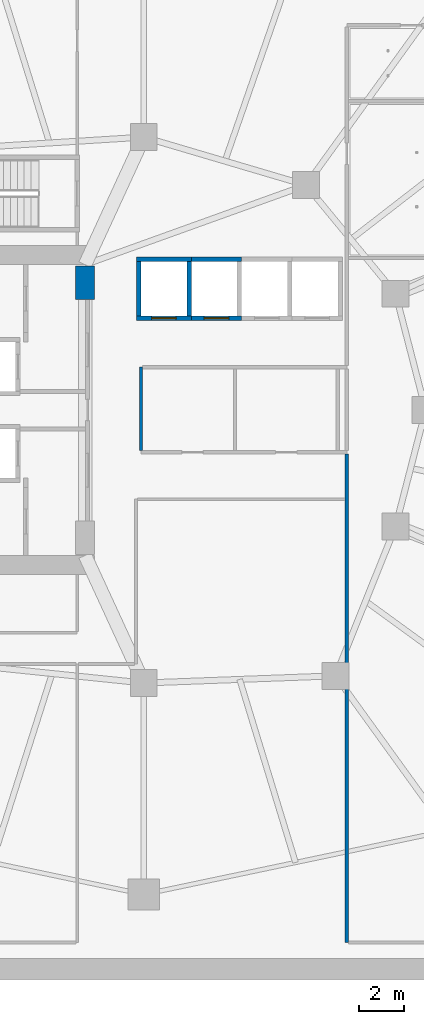
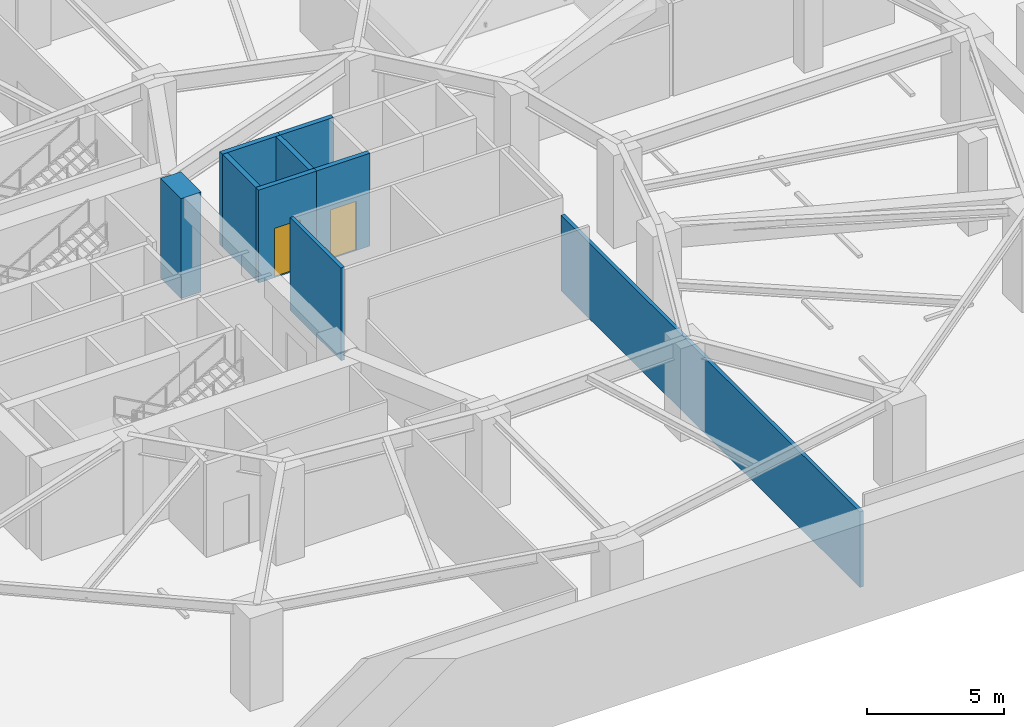
# One storey, part 5 of 16: 9 walls, 2 doors, 2 openings.
"""IFC4 building model written with IfcOpenShell, lengths in metres."""

from ifc_helpers import new_model, si_unit, direction, frame, frame_2d, origin, place, context, subcontext, project, spatial, rectangle, extrude, material, layer, layer_set, type_object, element, fill, save


model = new_model("IFC4")

# Units and contexts
model_context = context("Model", 3, precision=1e-05, world=origin(), true_north=direction((0.0, 1.0)))
body_context = subcontext(model_context, "Body", "Model", "MODEL_VIEW")
ifc_project = project(units=[si_unit("LENGTHUNIT", "METRE"), si_unit("AREAUNIT", "SQUARE_METRE"), si_unit("VOLUMEUNIT", "CUBIC_METRE"), si_unit("PLANEANGLEUNIT", "RADIAN"), si_unit("MASSUNIT", "GRAM", prefix="KILO")], contexts=[model_context])

# Site, building, storey
site_placement = place(None, origin())
site = spatial("IfcSite", under=ifc_project, at=site_placement, CompositionType="ELEMENT")
building_placement = place(site_placement, origin())
building = spatial("IfcBuilding", under=site, at=building_placement, Name="Kolvaren Gate Tower and Convention Centre", CompositionType="ELEMENT")
storey_placement = place(building_placement, frame((0.0, 0.0, -4.5)))
storey = spatial("IfcBuildingStorey", under=building, at=storey_placement, Name="B1", CompositionType="ELEMENT", Elevation=-4.5)

# Wall
ifc_material_1 = material(Name="Autoclaved Aerated Masonry Blockwork Class 4 (4.0 MPa)", Category="masonry")
ifc_layer_1 = layer(ifc_material_1, 0.199951171875)
ifc_layer_set_1 = layer_set([ifc_layer_1], Name="Autoclaved Aerated Masonry Blockwork Class 4 (4.0 MPa)")
wall_type_1 = type_object("IfcWallType", Name="ARCH-WL-SHAFT-200", PredefinedType="SOLIDWALL", material=ifc_layer_set_1)
wall_1_placement = place(storey_placement, frame((29.800048828125, 33.75, 0.0), z_axis=(0.0, 0.0, 1.0), x_axis=(1.0, 0.0, 0.0)))
element("IfcWall", 1, at=wall_1_placement, inside=storey, type_object=wall_type_1, Name="Elevator PL-01 B1 Fire Shaft Wall N", PredefinedType="SOLIDWALL", context=body_context, shape_type="SweptSolid", body=[
    extrude(rectangle(XDim=2.449951171875, YDim=0.199951171875, at=frame_2d((1.22509765625, 0.0))), origin(), (0.0, 0.0, 1.0), 4.139892578125),
])

# Wall, opening, door
wall_2_placement = place(storey_placement, frame((29.800048828125, 31.10009765625, 0.0), z_axis=(0.0, 0.0, 1.0), x_axis=(1.0, 0.0, 0.0)))
wall_2 = element("IfcWall", 2, at=wall_2_placement, inside=storey, type_object=wall_type_1, Name="Elevator PL-01 B1 Fire Shaft Wall S", PredefinedType="SOLIDWALL", context=body_context, shape_type="SweptSolid", body=[
    extrude(rectangle(XDim=2.449951171875, YDim=0.199951171875, at=frame_2d((1.22509765625, 0.0))), origin(), (0.0, 0.0, 1.0), 4.139892578125),
])
opening_1_placement = place(wall_2_placement, frame((0.675048828125, 0.0, 0.0)))
opening_1 = element("IfcOpeningElement", 3, at=opening_1_placement, cuts=wall_2, Name="Opening LD", PredefinedType="OPENING", context=body_context, shape_type="SweptSolid", body=[
    extrude(rectangle(XDim=1.10009765625, YDim=2.199951171875, at=frame_2d((0.550048828125, 1.10009765625))), frame((0.0, 0.10986328125, 0.0), z_axis=(0.0, -1.0, 0.0), x_axis=(1.0, 0.0, 0.0)), (0.0, 0.0, 1.0), 0.219970703125),
])
ifc_material_2 = material(Name="Brushed Stainless Steel Grade 316L", Category="steel")
door_type = type_object("IfcDoorType", Name="ARCH-DR-LIFT-1100", OperationType="SLIDING_TO_LEFT", PredefinedType="DOOR", material=ifc_material_2)
door_1_placement = place(opening_1_placement, origin())
door_1 = element("IfcDoor", 4, at=door_1_placement, inside=storey, type_object=door_type, Name="Elevator PL-01 B1 Sliding Landing Door", OperationType="SLIDING_TO_LEFT", OverallHeight=2.199951171875, OverallWidth=1.10009765625, PredefinedType="DOOR", context=body_context, shape_type="SweptSolid", body=[
    extrude(rectangle(XDim=1.10009765625, YDim=2.199951171875, at=frame_2d((0.550048828125, 1.10009765625))), frame((0.0, 0.02490234375, 0.0), z_axis=(0.0, -1.0, 0.0), x_axis=(1.0, 0.0, 0.0)), (0.0, 0.0, 1.0), 0.050048828125),
])
fill(opening_1, door_1)

# Walls
for number, where, z_axis, x_axis, name in (
    (5, (29.89990234375, 31.2099609375, 0.0), (0.0, 0.0, 1.0), (0.0, 1.0, 0.0), "Elevator PL-01 B1 Fire Shaft Wall W"),
    (6, (32.14990234375, 31.2099609375, 0.0), (0.0, 0.0, 1.0), (0.0, 1.0, 0.0), "Elevator PL-01 B1 Fire Shaft Wall E"),
):
    element("IfcWall", number, at=place(storey_placement, frame(where, z_axis=z_axis, x_axis=x_axis)), inside=storey, type_object=wall_type_1, Name=name, PredefinedType="SOLIDWALL", context=body_context, shape_type="SweptSolid", body=[
        extrude(rectangle(XDim=2.429931640625, YDim=0.199951171875, at=frame_2d((1.21484375, 0.0))), origin(), (0.0, 0.0, 1.0), 4.139892578125),
    ])
wall_3_placement = place(storey_placement, frame((32.25, 33.75, 0.0), z_axis=(0.0, 0.0, 1.0), x_axis=(1.0, 0.0, 0.0)))
element("IfcWall", 7, at=wall_3_placement, inside=storey, type_object=wall_type_1, Name="Elevator PL-02 B1 Fire Shaft Wall N", PredefinedType="SOLIDWALL", context=body_context, shape_type="SweptSolid", body=[
    extrude(rectangle(XDim=2.25, YDim=0.199951171875, at=frame_2d((1.125, 0.0))), origin(), (0.0, 0.0, 1.0), 4.139892578125),
])

# Wall, opening, door
wall_4_placement = place(storey_placement, frame((32.25, 31.10009765625, 0.0), z_axis=(0.0, 0.0, 1.0), x_axis=(1.0, 0.0, 0.0)))
wall_4 = element("IfcWall", 8, at=wall_4_placement, inside=storey, type_object=wall_type_1, Name="Elevator PL-02 B1 Fire Shaft Wall S", PredefinedType="SOLIDWALL", context=body_context, shape_type="SweptSolid", body=[
    extrude(rectangle(XDim=2.25, YDim=0.199951171875, at=frame_2d((1.125, 0.0))), origin(), (0.0, 0.0, 1.0), 4.139892578125),
])
opening_2_placement = place(wall_4_placement, frame((0.574951171875, 0.0, 0.0)))
opening_2 = element("IfcOpeningElement", 9, at=opening_2_placement, cuts=wall_4, Name="Opening LD", PredefinedType="OPENING", context=body_context, shape_type="SweptSolid", body=[
    extrude(rectangle(XDim=1.10009765625, YDim=2.199951171875, at=frame_2d((0.550048828125, 1.10009765625))), frame((0.0, 0.10986328125, 0.0), z_axis=(0.0, -1.0, 0.0), x_axis=(1.0, 0.0, 0.0)), (0.0, 0.0, 1.0), 0.219970703125),
])
door_2_placement = place(opening_2_placement, origin())
door_2 = element("IfcDoor", 10, at=door_2_placement, inside=storey, type_object=door_type, Name="Elevator PL-02 B1 Sliding Landing Door", OperationType="SLIDING_TO_LEFT", OverallHeight=2.199951171875, OverallWidth=1.10009765625, PredefinedType="DOOR", context=body_context, shape_type="SweptSolid", body=[
    extrude(rectangle(XDim=1.10009765625, YDim=2.199951171875, at=frame_2d((0.550048828125, 1.10009765625))), frame((0.0, 0.02490234375, 0.0), z_axis=(0.0, -1.0, 0.0), x_axis=(1.0, 0.0, 0.0)), (0.0, 0.0, 1.0), 0.050048828125),
])
fill(opening_2, door_2)

# Walls
ifc_material_3 = material(Name="Moisture-Resistant Cement-Board Acoustic Partition", Category="gypsum")
ifc_layer_2 = layer(ifc_material_3, 0.14990234375)
ifc_layer_set_2 = layer_set([ifc_layer_2], Name="Moisture-Resistant Cement-Board Acoustic Partition")
wall_type_2 = type_object("IfcWallType", Name="ARCH-WL-WET-150", PredefinedType="PARTITIONING", material=ifc_layer_set_2)
wall_5_placement = place(storey_placement, frame((30.0, 25.197021484375, 0.0), z_axis=(0.0, 0.0, 1.0), x_axis=(0.0, 1.0, 0.0)))
element("IfcWall", 11, at=wall_5_placement, inside=storey, type_object=wall_type_2, Name="Interior Partition WL-B1-INT-010", PredefinedType="PARTITIONING", context=body_context, shape_type="SweptSolid", body=[
    extrude(rectangle(XDim=3.722900390625, YDim=0.14990234375, at=frame_2d((1.861328125, 0.0))), origin(), (0.0, 0.0, 1.0), 4.139892578125),
])
wall_6_placement = place(storey_placement, frame((39.199951171875, 3.199951171875, 0.0), z_axis=(0.0, 0.0, 1.0), x_axis=(0.0, 1.0, 0.0)))
element("IfcWall", 12, at=wall_6_placement, inside=storey, type_object=wall_type_2, Name="Interior Partition WL-B1-INT-023", PredefinedType="PARTITIONING", context=body_context, shape_type="SweptSolid", body=[
    extrude(rectangle(XDim=21.843017578125, YDim=0.14990234375, at=frame_2d((10.92138671875, 0.0))), origin(), (0.0, 0.0, 1.0), 3.3740234375),
])
ifc_material_4 = material(Name="Concrete C70/85", Category="concrete")
ifc_layer_3 = layer(ifc_material_4, 0.85009765625)
ifc_layer_set_3 = layer_set([ifc_layer_3], Name="Concrete C70/85")
wall_type_3 = type_object("IfcWallType", Name="STR-WL-CORE-850", PredefinedType="SHEAR", material=ifc_layer_set_3)
wall_7_placement = place(storey_placement, frame((27.5, 31.949951171875, -0.320068359375), z_axis=(0.0, 0.0, 1.0), x_axis=(0.0, 1.0, 0.0)))
element("IfcWall", 13, at=wall_7_placement, inside=storey, type_object=wall_type_3, Name="Tower B1 Offset Core Shear Wall EN", PredefinedType="SHEAR", context=body_context, shape_type="SweptSolid", body=[
    extrude(rectangle(XDim=1.5, YDim=0.85009765625, at=frame_2d((0.75, 0.0))), origin(), (0.0, 0.0, 1.0), 4.4599609375),
])

save(model, "model.ifc")
